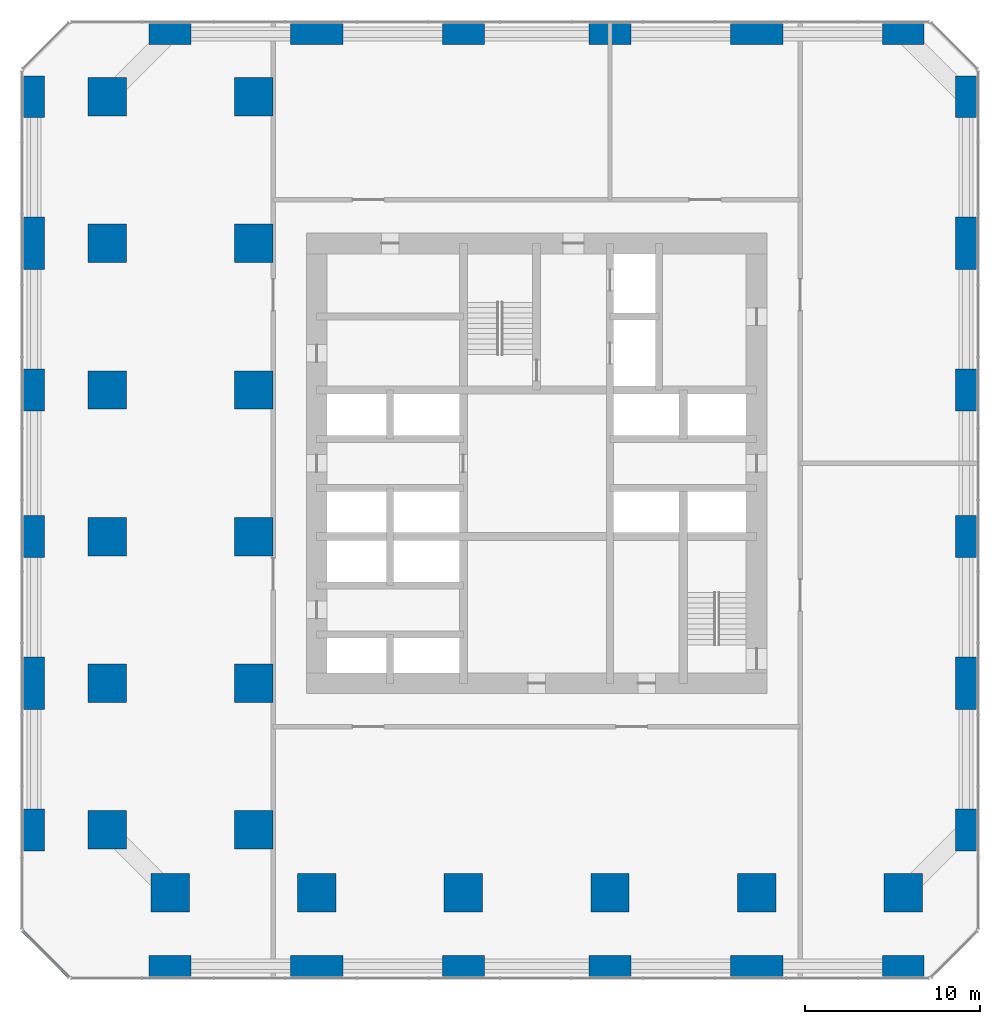
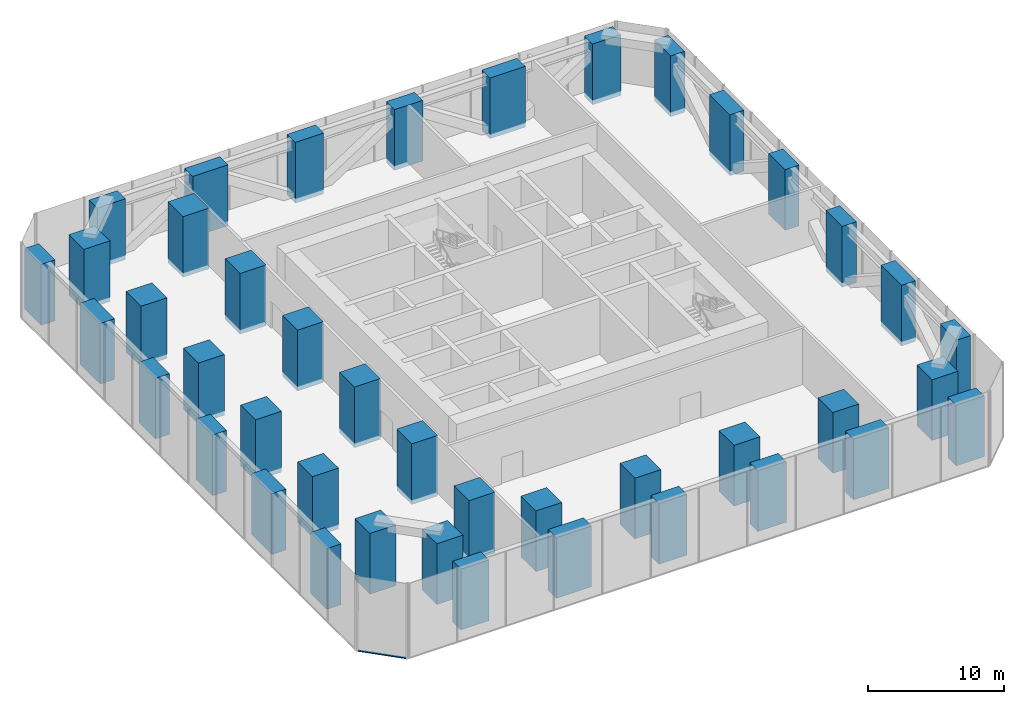
# One storey, part 1 of 10: 42 columns, 1 member, 1 element without a shape of its own.
"""IFC4 building model written with IfcOpenShell, lengths in metres."""

import ifcopenshell
import ifcopenshell.guid

model = None  # the IFC model being written
_history = None  # IfcOwnerHistory: only IFC2X3 demands one
_inside = {}  # id of a spatial element -> (the spatial element, [elements in it])
_under = {}  # id of a project, library or spatial element -> (it, [spatial elements below it])
_declared = {}  # id of a project -> (the project, [libraries it declares])
_typed = {}  # id of a type object -> (the type object, [elements of that type])
_made_of = {}  # id of a material, layer set ... -> (it, [elements and type objects made of it])


def new_model(schema):
    """Start an empty IFC model of exactly this schema.

    Asked for "IFC4X3", IfcOpenShell would pick the latest addendum, in which some entities
    have other attributes; the version numbers below select the first issue.
    IFC2X3 requires an IfcOwnerHistory on every rooted entity: one is made here for all.
    """
    global model, _history
    if schema == "IFC4X3":
        model = ifcopenshell.file(schema_version=(4, 3, 0, 0))
    else:
        model = ifcopenshell.file(schema=schema)
    _inside.clear()
    _under.clear()
    _declared.clear()
    _typed.clear()
    _made_of.clear()
    _history = None
    if model.schema == "IFC2X3":
        org = make("IfcOrganization", Name="unknown")
        user = make(
            "IfcPersonAndOrganization",
            ThePerson=make("IfcPerson", FamilyName="unknown"),
            TheOrganization=org,
        )
        app = make(
            "IfcApplication",
            ApplicationDeveloper=org,
            Version="unknown",
            ApplicationFullName="unknown",
            ApplicationIdentifier="unknown",
        )
        _history = make(
            "IfcOwnerHistory",
            OwningUser=user,
            OwningApplication=app,
            ChangeAction="ADDED",
            CreationDate=0,
        )
    return model


def make(cls, **values):
    """One entity of the class cls with the attributes given. An attribute that is None is left unset."""
    return model.create_entity(
        cls, **{name: value for name, value in values.items() if value is not None}
    )


def rooted(cls, **values):
    """An entity with a GlobalId (a new one), such as an element, a storey or a relation."""
    return make(cls, GlobalId=ifcopenshell.guid.new(), OwnerHistory=_history, **values)


def si_unit(unit_type, name, prefix=None):
    """IfcSIUnit, for example si_unit("LENGTHUNIT", "METRE", prefix="MILLI")."""
    return make("IfcSIUnit", UnitType=unit_type, Prefix=prefix, Name=name)


def assignment(units):
    """IfcUnitAssignment: the units of a project."""
    return None if units is None else make("IfcUnitAssignment", Units=units)


def point(xyz):
    """IfcCartesianPoint."""
    return None if xyz is None else make("IfcCartesianPoint", Coordinates=xyz)


def direction(xyz):
    """IfcDirection."""
    return None if xyz is None else make("IfcDirection", DirectionRatios=xyz)


def frame(location, z_axis=None, x_axis=None):
    """IfcAxis2Placement3D, a coordinate frame: its origin and axes. An axis left out is left unset."""
    return make(
        "IfcAxis2Placement3D",
        Location=point(location),
        Axis=direction(z_axis),
        RefDirection=direction(x_axis),
    )


def frame_2d(location, x_axis=None):
    """IfcAxis2Placement2D, a coordinate frame in the plane: its origin and x axis."""
    return make(
        "IfcAxis2Placement2D", Location=point(location), RefDirection=direction(x_axis)
    )


def origin():
    """The frame at (0, 0, 0) with its axes left unset."""
    return frame((0.0, 0.0, 0.0))


def origin_2d():
    """The frame at (0, 0) in the plane with its x axis left unset."""
    return frame_2d((0.0, 0.0))


def place(relative_to, where):
    """IfcLocalPlacement: puts the frame where relative to a parent placement (None: the world)."""
    return make(
        "IfcLocalPlacement", PlacementRelTo=relative_to, RelativePlacement=where
    )


def context(
    kind, dimensions, precision=None, world=None, true_north=None, identifier=None
):
    """IfcGeometricRepresentationContext, for example the 3D "Model" context."""
    return make(
        "IfcGeometricRepresentationContext",
        ContextIdentifier=identifier,
        ContextType=kind,
        CoordinateSpaceDimension=dimensions,
        Precision=precision,
        WorldCoordinateSystem=world,
        TrueNorth=true_north,
    )


def subcontext(parent, identifier, kind, view, scale=None):
    """IfcGeometricRepresentationSubContext, for example "Body" below "Model"."""
    return make(
        "IfcGeometricRepresentationSubContext",
        ContextIdentifier=identifier,
        ContextType=kind,
        ParentContext=parent,
        TargetScale=scale,
        TargetView=view,
    )


def project(units=None, contexts=None):
    """IfcProject with its units and contexts."""
    return rooted(
        "IfcProject",
        Name="project",
        RepresentationContexts=contexts,
        UnitsInContext=assignment(units),
    )


def spatial(cls, under=None, at=None, **own):
    """A site, building, storey or space (cls), placed at a placement, below another one or the project."""
    s = rooted(cls, ObjectPlacement=at, **own)
    if under is not None:
        _under.setdefault(under.id(), (under, []))[1].append(s)
    return s


def profile(cls, at=None, kind="AREA", **sizes):
    """A parametric profile (cls). Its sizes go by their IFC names, for example OverallWidth=200.0."""
    return make(cls, ProfileType=kind, Position=at, **sizes)


def rectangle(**sizes):
    """IfcRectangleProfileDef."""
    return profile("IfcRectangleProfileDef", **sizes)


def extrude(swept, where, along, depth):
    """IfcExtrudedAreaSolid: the profile swept, set in the frame where, extruded along a direction by depth."""
    return make(
        "IfcExtrudedAreaSolid",
        SweptArea=swept,
        Position=where,
        ExtrudedDirection=direction(along),
        Depth=depth,
    )


def shape(context_of_items, identifier, shape_type, items):
    """IfcShapeRepresentation: the items that make up one representation, for example the "Body"."""
    return make(
        "IfcShapeRepresentation",
        ContextOfItems=context_of_items,
        RepresentationIdentifier=identifier,
        RepresentationType=shape_type,
        Items=items,
    )


def material(Name=None, Category=None):
    """IfcMaterial."""
    return make("IfcMaterial", Name=Name, Category=Category)


def material_profile(
    of_material, cross_section, Name=None, Category=None, Priority=None
):
    """IfcMaterialProfile: a cross section and its material."""
    return make(
        "IfcMaterialProfile",
        Name=Name,
        Material=of_material,
        Profile=cross_section,
        Priority=Priority,
        Category=Category,
    )


def profile_set(profiles, Name=None, composite=None):
    """IfcMaterialProfileSet."""
    return make(
        "IfcMaterialProfileSet",
        Name=Name,
        MaterialProfiles=profiles,
        CompositeProfile=composite,
    )


def made_of(thing, what):
    """Note that an element or type object is made of a material, layer set ...; save() writes the relation."""
    if what is not None:
        _made_of.setdefault(what.id(), (what, []))[1].append(thing)
    return thing


def type_object(cls, material=None, **own):
    """A type object (cls), such as IfcWallType, which elements share."""
    return made_of(rooted(cls, **own), material)


def element(
    cls,
    number,
    at=None,
    inside=None,
    cuts=None,
    type_object=None,
    material=None,
    context=None,
    identifier="Body",
    shape_type=None,
    held_by="IfcProductDefinitionShape",
    body=None,
    shapes=None,
    **own,
):
    """One element of the class cls, such as IfcWall. Its Tag is "e" and its number.

    at: its placement. inside: the storey or other place that contains it. cuts: it is an
    opening in that element (IfcRelVoidsElement). A single representation is given by context,
    identifier, shape_type and body (its items); several are given by shapes. held_by: the class
    of the entity that holds the representations. save() writes the other relations.
    """
    e = rooted(cls, Tag="e%d" % number, ObjectPlacement=at, **own)
    if body is not None:
        shapes = [shape(context, identifier, shape_type, body)]
    if shapes is not None:
        e.Representation = make(held_by, Representations=shapes)
    if inside is not None:
        _inside.setdefault(inside.id(), (inside, []))[1].append(e)
    if cuts is not None:
        rooted(
            "IfcRelVoidsElement", RelatingBuildingElement=cuts, RelatedOpeningElement=e
        )
    if type_object is not None:
        _typed.setdefault(type_object.id(), (type_object, []))[1].append(e)
    return made_of(e, material)


def aggregate(whole, parts):
    """IfcRelAggregates: a whole, such as a stair, and the parts it consists of."""
    return rooted("IfcRelAggregates", RelatingObject=whole, RelatedObjects=parts)


def save(model, path):
    """Write the relations noted so far, then the file.

    IfcRelAggregates (storeys below a building ...), IfcRelContainedInSpatialStructure (elements
    in a storey), IfcRelDefinesByType, IfcRelAssociatesMaterial and IfcRelDeclares: one each for
    every whole, place, type object, material and project.
    """
    for whole, parts in _under.values():
        aggregate(whole, parts)
    for where, things in _inside.values():
        rooted(
            "IfcRelContainedInSpatialStructure",
            RelatedElements=things,
            RelatingStructure=where,
        )
    for kind, things in _typed.values():
        rooted("IfcRelDefinesByType", RelatedObjects=things, RelatingType=kind)
    for what, things in _made_of.values():
        rooted("IfcRelAssociatesMaterial", RelatedObjects=things, RelatingMaterial=what)
    for by, libraries in _declared.values():
        rooted("IfcRelDeclares", RelatingContext=by, RelatedDefinitions=libraries)
    model.write(path)


model = new_model("IFC4")

# Units and contexts
model_context = context("Model", 3, precision=1e-05, world=origin(), true_north=direction((0.0, 1.0)))
body_context = subcontext(model_context, "Body", "Model", "MODEL_VIEW")
ifc_project = project(units=[si_unit("LENGTHUNIT", "METRE"), si_unit("AREAUNIT", "SQUARE_METRE"), si_unit("VOLUMEUNIT", "CUBIC_METRE"), si_unit("PLANEANGLEUNIT", "RADIAN"), si_unit("MASSUNIT", "GRAM", prefix="KILO")], contexts=[model_context])

# Site, building, storey
site_placement = place(None, origin())
site = spatial("IfcSite", under=ifc_project, at=site_placement, CompositionType="ELEMENT")
building_placement = place(site_placement, origin())
building = spatial("IfcBuilding", under=site, at=building_placement, Name="Dunama Terrace Hotel", CompositionType="ELEMENT")
storey_placement = place(building_placement, frame((0.0, 0.0, 153.60009765625)))
storey = spatial("IfcBuildingStorey", under=building, at=storey_placement, Name="L39", CompositionType="ELEMENT", Elevation=153.60009765625)

# Columns
ifc_material_1 = material(Name="Concrete C60/75", Category="concrete")
ifc_material_profile_1 = material_profile(ifc_material_1, rectangle(XDim=1.199951171875, YDim=2.39990234375, at=origin_2d()), Name="RC 1200x2400")
ifc_profile_set_1 = profile_set([ifc_material_profile_1], Name="Concrete C60/75")
column_type_1 = type_object("IfcColumnType", Name="Column RC 1200x2400", PredefinedType="COLUMN", material=ifc_profile_set_1)
for number, where, z_axis, x_axis, name in (
    (1, (0.60009765625, 8.39990234375, -0.400146484375), (0.0, 0.0, 1.0), (1.0, 0.0, 0.0), "Column L39 +0.6/+8.4"),
    (2, (0.60009765625, 25.199951171875, -0.400146484375), (0.0, 0.0, 1.0), (1.0, 0.0, 0.0), "Column L39 +0.6/+25.2"),
    (3, (0.60009765625, 33.60009765625, -0.400146484375), (0.0, 0.0, 1.0), (1.0, 0.0, 0.0), "Column L39 +0.6/+33.6"),
    (4, (0.60009765625, 50.39990234375, -0.400146484375), (0.0, 0.0, 1.0), (1.0, 0.0, 0.0), "Column L39 +0.6/+50.4"),
    (5, (54.0, 8.39990234375, -0.400146484375), (0.0, 0.0, 1.0), (1.0, 0.0, 0.0), "Column L39 +54.0/+8.4"),
    (6, (54.0, 25.199951171875, -0.400146484375), (0.0, 0.0, 1.0), (1.0, 0.0, 0.0), "Column L39 +54.0/+25.2"),
    (7, (54.0, 33.60009765625, -0.400146484375), (0.0, 0.0, 1.0), (1.0, 0.0, 0.0), "Column L39 +54.0/+33.6"),
    (8, (54.0, 50.39990234375, -0.400146484375), (0.0, 0.0, 1.0), (1.0, 0.0, 0.0), "Column L39 +54.0/+50.4"),
):
    element("IfcColumn", number, at=place(storey_placement, frame(where, z_axis=z_axis, x_axis=x_axis)), inside=storey, type_object=column_type_1, Name=name, PredefinedType="COLUMN", context=body_context, shape_type="SweptSolid", body=[
        extrude(rectangle(XDim=1.199951171875, YDim=2.39990234375, at=origin_2d()), origin(), (0.0, 0.0, 1.0), 5.449951171875),
    ])
ifc_material_2 = material(Name="Concrete C60/75", Category="concrete")
ifc_material_profile_2 = material_profile(ifc_material_2, rectangle(XDim=1.199951171875, YDim=3.0, at=origin_2d()), Name="RC 1200x3000")
ifc_profile_set_2 = profile_set([ifc_material_profile_2], Name="Concrete C60/75")
column_type_2 = type_object("IfcColumnType", Name="Column RC 1200x3000", PredefinedType="COLUMN", material=ifc_profile_set_2)
for number, where, z_axis, x_axis, name in (
    (9, (0.60009765625, 16.800048828125, -0.400146484375), (0.0, 0.0, 1.0), (1.0, 0.0, 0.0), "Column L39 +0.6/+16.8"),
    (10, (0.60009765625, 42.0, -0.400146484375), (0.0, 0.0, 1.0), (1.0, 0.0, 0.0), "Column L39 +0.6/+42.0"),
    (11, (54.0, 16.800048828125, -0.400146484375), (0.0, 0.0, 1.0), (1.0, 0.0, 0.0), "Column L39 +54.0/+16.8"),
    (12, (54.0, 42.0, -0.400146484375), (0.0, 0.0, 1.0), (1.0, 0.0, 0.0), "Column L39 +54.0/+42.0"),
):
    element("IfcColumn", number, at=place(storey_placement, frame(where, z_axis=z_axis, x_axis=x_axis)), inside=storey, type_object=column_type_2, Name=name, PredefinedType="COLUMN", context=body_context, shape_type="SweptSolid", body=[
        extrude(rectangle(XDim=1.199951171875, YDim=3.0, at=origin_2d()), origin(), (0.0, 0.0, 1.0), 5.449951171875),
    ])
ifc_material_3 = material(Name="Concrete C60/75", Category="concrete")
ifc_material_profile_3 = material_profile(ifc_material_3, rectangle(XDim=2.199951171875, YDim=2.199951171875, at=origin_2d()), Name="RC 2200x2200")
ifc_profile_set_3 = profile_set([ifc_material_profile_3], Name="Concrete C60/75")
column_type_3 = type_object("IfcColumnType", Name="Column RC 2200x2200", PredefinedType="COLUMN", material=ifc_profile_set_3)
for number, where, z_axis, x_axis, name in (
    (13, (4.800048828125, 8.39990234375, -0.400146484375), (0.0, 0.0, 1.0), (1.0, 0.0, 0.0), "Column L39 +4.8/+8.4"),
    (14, (4.800048828125, 16.800048828125, -0.400146484375), (0.0, 0.0, 1.0), (1.0, 0.0, 0.0), "Column L39 +4.8/+16.8"),
    (15, (4.800048828125, 25.199951171875, -0.400146484375), (0.0, 0.0, 1.0), (1.0, 0.0, 0.0), "Column L39 +4.8/+25.2"),
    (16, (4.800048828125, 33.60009765625, -0.400146484375), (0.0, 0.0, 1.0), (1.0, 0.0, 0.0), "Column L39 +4.8/+33.6"),
    (17, (4.800048828125, 42.0, -0.400146484375), (0.0, 0.0, 1.0), (1.0, 0.0, 0.0), "Column L39 +4.8/+42.0"),
    (18, (4.800048828125, 50.39990234375, -0.400146484375), (0.0, 0.0, 1.0), (1.0, 0.0, 0.0), "Column L39 +4.8/+50.4"),
    (19, (8.39990234375, 4.800048828125, -0.400146484375), (0.0, 0.0, 1.0), (1.0, 0.0, 0.0), "Column L39 +8.4/+4.8"),
    (20, (13.199951171875, 8.39990234375, -0.400146484375), (0.0, 0.0, 1.0), (1.0, 0.0, 0.0), "Column L39 +13.2/+8.4"),
    (21, (13.199951171875, 16.800048828125, -0.400146484375), (0.0, 0.0, 1.0), (1.0, 0.0, 0.0), "Column L39 +13.2/+16.8"),
    (22, (13.199951171875, 25.199951171875, -0.400146484375), (0.0, 0.0, 1.0), (1.0, 0.0, 0.0), "Column L39 +13.2/+25.2"),
    (23, (13.199951171875, 33.60009765625, -0.400146484375), (0.0, 0.0, 1.0), (1.0, 0.0, 0.0), "Column L39 +13.2/+33.6"),
    (24, (13.199951171875, 42.0, -0.400146484375), (0.0, 0.0, 1.0), (1.0, 0.0, 0.0), "Column L39 +13.2/+42.0"),
    (25, (13.199951171875, 50.39990234375, -0.400146484375), (0.0, 0.0, 1.0), (1.0, 0.0, 0.0), "Column L39 +13.2/+50.4"),
    (26, (16.800048828125, 4.800048828125, -0.400146484375), (0.0, 0.0, 1.0), (1.0, 0.0, 0.0), "Column L39 +16.8/+4.8"),
    (27, (25.199951171875, 4.800048828125, -0.400146484375), (0.0, 0.0, 1.0), (1.0, 0.0, 0.0), "Column L39 +25.2/+4.8"),
    (28, (33.60009765625, 4.800048828125, -0.400146484375), (0.0, 0.0, 1.0), (1.0, 0.0, 0.0), "Column L39 +33.6/+4.8"),
    (29, (42.0, 4.800048828125, -0.400146484375), (0.0, 0.0, 1.0), (1.0, 0.0, 0.0), "Column L39 +42.0/+4.8"),
    (30, (50.39990234375, 4.800048828125, -0.400146484375), (0.0, 0.0, 1.0), (1.0, 0.0, 0.0), "Column L39 +50.4/+4.8"),
):
    element("IfcColumn", number, at=place(storey_placement, frame(where, z_axis=z_axis, x_axis=x_axis)), inside=storey, type_object=column_type_3, Name=name, PredefinedType="COLUMN", context=body_context, shape_type="SweptSolid", body=[
        extrude(rectangle(XDim=2.199951171875, YDim=2.199951171875, at=origin_2d()), origin(), (0.0, 0.0, 1.0), 5.449951171875),
    ])
ifc_material_4 = material(Name="Concrete C60/75", Category="concrete")
ifc_material_profile_4 = material_profile(ifc_material_4, rectangle(XDim=2.39990234375, YDim=1.199951171875, at=origin_2d()), Name="RC 2400x1200")
ifc_profile_set_4 = profile_set([ifc_material_profile_4], Name="Concrete C60/75")
column_type_4 = type_object("IfcColumnType", Name="Column RC 2400x1200", PredefinedType="COLUMN", material=ifc_profile_set_4)
for number, where, z_axis, x_axis, name in (
    (31, (8.39990234375, 0.60009765625, -0.400146484375), (0.0, 0.0, 1.0), (1.0, 0.0, 0.0), "Column L39 +8.4/+0.6"),
    (32, (8.39990234375, 54.0, -0.400146484375), (0.0, 0.0, 1.0), (1.0, 0.0, 0.0), "Column L39 +8.4/+54.0"),
    (33, (25.199951171875, 0.60009765625, -0.400146484375), (0.0, 0.0, 1.0), (1.0, 0.0, 0.0), "Column L39 +25.2/+0.6"),
    (34, (25.199951171875, 54.0, -0.400146484375), (0.0, 0.0, 1.0), (1.0, 0.0, 0.0), "Column L39 +25.2/+54.0"),
    (35, (33.60009765625, 0.60009765625, -0.400146484375), (0.0, 0.0, 1.0), (1.0, 0.0, 0.0), "Column L39 +33.6/+0.6"),
    (36, (33.60009765625, 54.0, -0.400146484375), (0.0, 0.0, 1.0), (1.0, 0.0, 0.0), "Column L39 +33.6/+54.0"),
    (37, (50.39990234375, 0.60009765625, -0.400146484375), (0.0, 0.0, 1.0), (1.0, 0.0, 0.0), "Column L39 +50.4/+0.6"),
    (38, (50.39990234375, 54.0, -0.400146484375), (0.0, 0.0, 1.0), (1.0, 0.0, 0.0), "Column L39 +50.4/+54.0"),
):
    element("IfcColumn", number, at=place(storey_placement, frame(where, z_axis=z_axis, x_axis=x_axis)), inside=storey, type_object=column_type_4, Name=name, PredefinedType="COLUMN", context=body_context, shape_type="SweptSolid", body=[
        extrude(rectangle(XDim=2.39990234375, YDim=1.199951171875, at=origin_2d()), origin(), (0.0, 0.0, 1.0), 5.449951171875),
    ])
ifc_material_5 = material(Name="Concrete C60/75", Category="concrete")
ifc_material_profile_5 = material_profile(ifc_material_5, rectangle(XDim=3.0, YDim=1.199951171875, at=origin_2d()), Name="RC 3000x1200")
ifc_profile_set_5 = profile_set([ifc_material_profile_5], Name="Concrete C60/75")
column_type_5 = type_object("IfcColumnType", Name="Column RC 3000x1200", PredefinedType="COLUMN", material=ifc_profile_set_5)
for number, where, z_axis, x_axis, name in (
    (39, (16.800048828125, 0.60009765625, -0.400146484375), (0.0, 0.0, 1.0), (1.0, 0.0, 0.0), "Column L39 +16.8/+0.6"),
    (40, (16.800048828125, 54.0, -0.400146484375), (0.0, 0.0, 1.0), (1.0, 0.0, 0.0), "Column L39 +16.8/+54.0"),
    (41, (42.0, 0.60009765625, -0.400146484375), (0.0, 0.0, 1.0), (1.0, 0.0, 0.0), "Column L39 +42.0/+0.6"),
    (42, (42.0, 54.0, -0.400146484375), (0.0, 0.0, 1.0), (1.0, 0.0, 0.0), "Column L39 +42.0/+54.0"),
):
    element("IfcColumn", number, at=place(storey_placement, frame(where, z_axis=z_axis, x_axis=x_axis)), inside=storey, type_object=column_type_5, Name=name, PredefinedType="COLUMN", context=body_context, shape_type="SweptSolid", body=[
        extrude(rectangle(XDim=3.0, YDim=1.199951171875, at=origin_2d()), origin(), (0.0, 0.0, 1.0), 5.449951171875),
    ])

# Curtain wall, member
ifc_material_6 = material(Name="Aluminium curtain wall system", Category="aluminium")
curtain_wall_type = type_object("IfcCurtainWallType", Name="Plant floor louvred glazing CW-G", PredefinedType="NOTDEFINED", material=ifc_material_6)
curtain_wall_placement = place(storey_placement, origin())
curtain_wall = element("IfcCurtainWall", 43, at=curtain_wall_placement, inside=storey, type_object=curtain_wall_type, Name="Plant floor louvred glazing CW-G L39", PredefinedType="NOTDEFINED")
ifc_material_7 = material(Name="Aluminium transom", Category="aluminium")
ifc_material_profile_6 = material_profile(ifc_material_7, rectangle(XDim=0.159912109375, YDim=0.0849609375, at=origin_2d()), Name="CWG TRANSOM 160X85")
ifc_profile_set_6 = profile_set([ifc_material_profile_6], Name="Aluminium transom")
member_type = type_object("IfcMemberType", Name="CWG transom 160x85", PredefinedType="USERDEFINED", material=ifc_profile_set_6)
member_placement = place(storey_placement, frame((-0.01806640625, 2.575927734375, -1.278564453125), z_axis=(0.707106781187, -0.707106781187, 0.0), x_axis=(0.707106781187, 0.707106781187, 0.0)))
member = element("IfcMember", 44, at=member_placement, type_object=member_type, Name="CWG transom", ObjectType="TRANSOM", PredefinedType="USERDEFINED", context=body_context, shape_type="SweptSolid", body=[
    extrude(rectangle(XDim=0.159912109375, YDim=0.0849609375, at=origin_2d()), origin(), (0.0, 0.0, 1.0), 3.66845703125),
])
aggregate(curtain_wall, [member])

save(model, "model.ifc")
